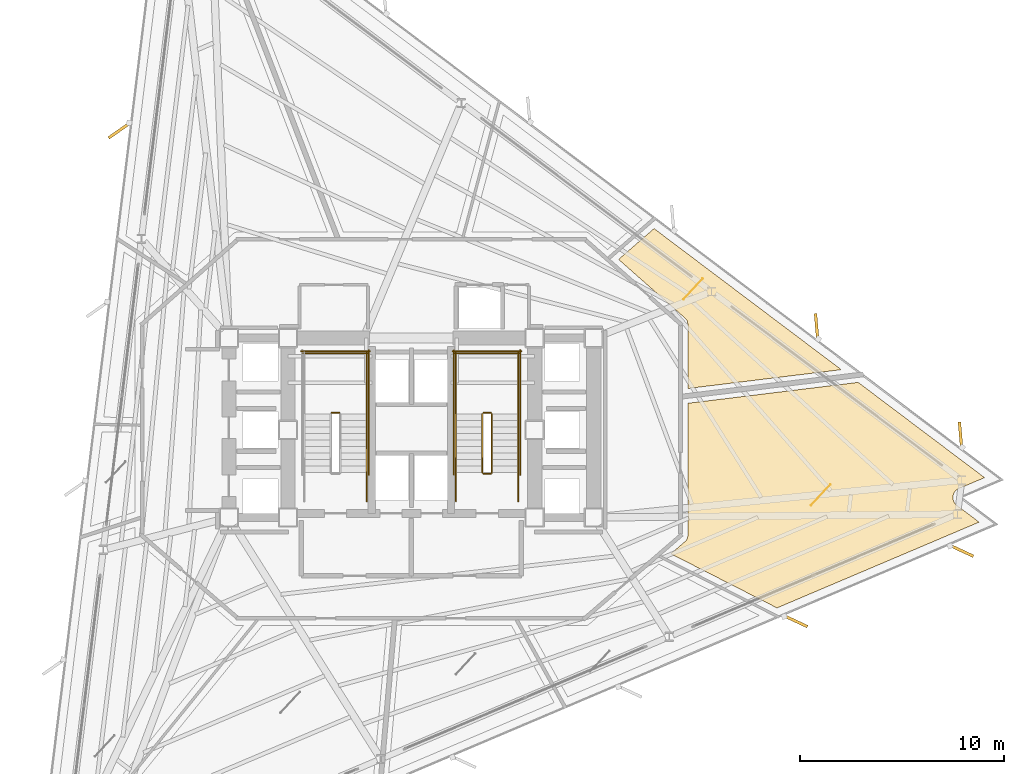
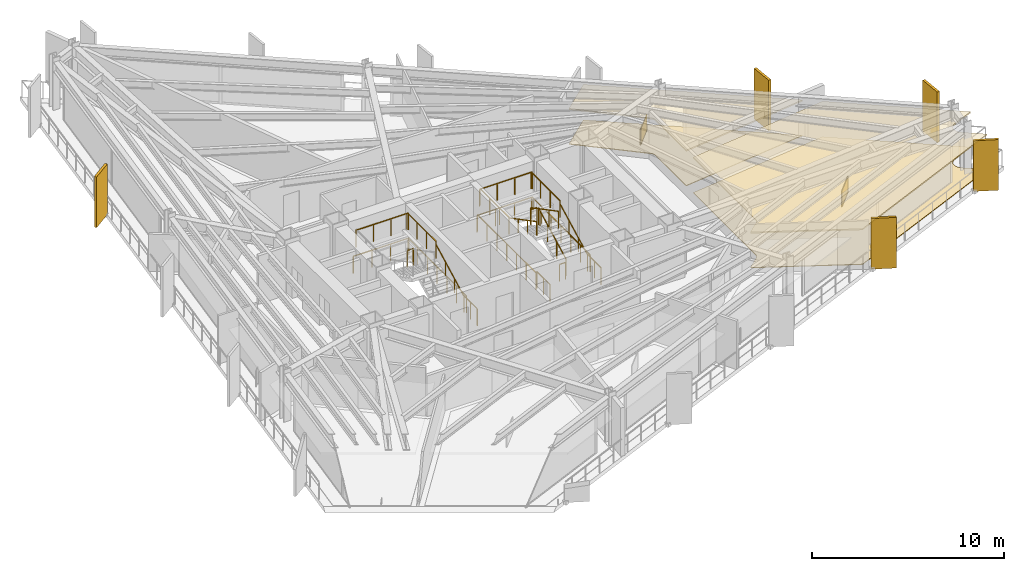
# One storey, part 12 of 13: 21 railings, 6 coverings, 5 shading devices.
"""IFC4 building model written with IfcOpenShell, lengths in metres."""

from ifc_helpers import new_model, si_unit, direction, frame, origin, origin_2d, place, context, subcontext, project, spatial, polyline, rectangle, outline, extrude, material, layer, layer_set, type_object, element, save


model = new_model("IFC4")

# Units and contexts
model_context = context("Model", 3, precision=1e-05, world=origin(), true_north=direction((0.0, 1.0)))
body_context = subcontext(model_context, "Body", "Model", "MODEL_VIEW")
ifc_project = project(units=[si_unit("LENGTHUNIT", "METRE"), si_unit("AREAUNIT", "SQUARE_METRE"), si_unit("VOLUMEUNIT", "CUBIC_METRE"), si_unit("PLANEANGLEUNIT", "RADIAN"), si_unit("MASSUNIT", "GRAM", prefix="KILO")], contexts=[model_context])

# Site, building, storey
site_placement = place(None, origin())
site = spatial("IfcSite", under=ifc_project, at=site_placement, CompositionType="ELEMENT")
building_placement = place(site_placement, origin())
building = spatial("IfcBuilding", under=site, at=building_placement, Name="Rocaltana Carrier Exchange", CompositionType="ELEMENT")
storey_placement = place(building_placement, frame((0.0, 0.0, 66.39990234375)))
storey = spatial("IfcBuildingStorey", under=building, at=storey_placement, Name="L20", CompositionType="ELEMENT", Elevation=66.39990234375)

# Coverings
ifc_material_1 = material(Name="Honed Bogota Sandstone Tile", Category="masonry")
ifc_layer_1 = layer(ifc_material_1, 0.0400390625)
ifc_layer_set_1 = layer_set([ifc_layer_1], Name="Honed Bogota Sandstone Tile")
covering_type_1 = type_object("IfcCoveringType", Name="Honed Stone Lobby Flooring 40", PredefinedType="FLOORING", material=ifc_layer_set_1)
covering_1_placement = place(storey_placement, origin())
element("IfcCovering", 1, at=covering_1_placement, inside=storey, type_object=covering_type_1, Name="L20 Optical Switching Laboratory Finish Floor", PredefinedType="FLOORING", context=body_context, shape_type="SweptSolid", body=[
    extrude(outline(polyline([(28.1201171875, -2.344482421875), (26.860107421875, -2.87939453125), (26.847412109375, -2.885009765625), (26.82958984375, -2.893798828125), (26.80517578125, -2.906982421875), (26.7880859375, -2.91748046875), (26.76513671875, -2.933349609375), (26.749267578125, -2.9453125), (26.727783203125, -2.96337890625), (26.71337890625, -2.97705078125), (26.69384765625, -2.9970703125), (26.6806640625, -3.01220703125), (26.663330078125, -3.033935546875), (26.65185546875, -3.050048828125), (26.63671875, -3.073486328125), (26.626708984375, -3.0908203125), (26.614013671875, -3.11572265625), (26.60595703125, -3.134033203125), (26.595703125, -3.159912109375), (26.589599609375, -3.178955078125), (26.58203125, -3.205810546875), (26.57763671875, -3.225341796875), (26.57275390625, -3.252685546875), (26.5703125, -3.2724609375), (26.568359375, -3.30029296875), (26.56787109375, -3.3203125), (26.568603515625, -3.34814453125), (26.5703125, -3.3681640625), (26.57373046875, -3.395751953125), (26.577392578125, -3.415283203125), (26.58349609375, -3.442626953125), (26.589111328125, -3.4619140625), (26.597900390625, -3.48828125), (26.605224609375, -3.5068359375), (26.616943359375, -3.5322265625), (26.6259765625, -3.5498046875), (26.639892578125, -3.573974609375), (26.65087890625, -3.5908203125), (26.667236328125, -3.61328125), (26.6796875, -3.62890625), (26.6982421875, -3.64990234375), (26.712158203125, -3.6640625), (26.732666015625, -3.68310546875), (26.748046875, -3.69580078125), (26.7587890625, -3.70458984375), (27.851806640625, -4.528076171875), (17.9384765625, -8.736083984375), (12.728515625, -6.08154296875), (13.43505859375, -5.47265625), (13.44482421875, -5.4638671875), (13.450439453125, -5.45849609375), (13.468994140625, -5.439208984375), (13.47412109375, -5.433349609375), (13.490478515625, -5.41259765625), (13.4951171875, -5.40625), (13.509521484375, -5.3837890625), (13.51318359375, -5.377197265625), (13.525634765625, -5.353515625), (13.52880859375, -5.346435546875), (13.538818359375, -5.32177734375), (13.541259765625, -5.314453125), (13.548828125, -5.288818359375), (13.550537109375, -5.281494140625), (13.5556640625, -5.255126953125), (13.556884765625, -5.24755859375), (13.559326171875, -5.220947265625), (13.559814453125, -5.21337890625), (13.56005859375, -5.199951171875), (13.56005859375, 1.30224609375), (21.918701171875, 2.32861328125), (28.1201171875, -2.344482421875)])), origin(), (0.0, 0.0, 1.0), 0.0400390625),
])
covering_2_placement = place(storey_placement, origin())
element("IfcCovering", 2, at=covering_2_placement, inside=storey, type_object=covering_type_1, Name="L20 Client Reception Foyer Finish Floor", PredefinedType="FLOORING", context=body_context, shape_type="SweptSolid", body=[
    extrude(outline(polyline([(21.091064453125, 2.952392578125), (13.56005859375, 2.027587890625), (13.56005859375, 5.199951171875), (13.559814453125, 5.213134765625), (13.559326171875, 5.220703125), (13.556884765625, 5.246826171875), (13.555908203125, 5.25439453125), (13.55078125, 5.2802734375), (13.549072265625, 5.28759765625), (13.541748046875, 5.31298828125), (13.539306640625, 5.320068359375), (13.529541015625, 5.344482421875), (13.526611328125, 5.351318359375), (13.5146484375, 5.375), (13.5107421875, 5.38134765625), (13.49658203125, 5.40380859375), (13.492431640625, 5.409912109375), (13.476318359375, 5.4306640625), (13.471435546875, 5.436279296875), (13.453369140625, 5.455810546875), (13.447998046875, 5.4609375), (13.438232421875, 5.469970703125), (10.16552734375, 8.359619140625), (11.906494140625, 9.873291015625), (21.091064453125, 2.952392578125)])), origin(), (0.0, 0.0, 1.0), 0.0400390625),
])
ifc_material_2 = material(Name="Anodised Aluminium 6063-T6", Category="aluminium")
ifc_layer_2 = layer(ifc_material_2, 0.0849609375)
ifc_layer_set_2 = layer_set([ifc_layer_2], Name="Anodised Aluminium 6063-T6")
covering_type_2 = type_object("IfcCoveringType", Name="Linear Baffle Acoustic Ceiling 85", PredefinedType="CEILING", material=ifc_layer_set_2)
covering_3_placement = place(storey_placement, frame((0.0, 0.0, 2.203125)))
element("IfcCovering", 3, at=covering_3_placement, inside=storey, type_object=covering_type_2, Name="L20 Optical Switching Laboratory Acoustic Ceiling", PredefinedType="CEILING", context=body_context, shape_type="SweptSolid", body=[
    extrude(outline(polyline([(28.1201171875, -2.344482421875), (26.860107421875, -2.87939453125), (26.847412109375, -2.885009765625), (26.82958984375, -2.893798828125), (26.80517578125, -2.906982421875), (26.7880859375, -2.91748046875), (26.76513671875, -2.933349609375), (26.749267578125, -2.9453125), (26.727783203125, -2.96337890625), (26.71337890625, -2.97705078125), (26.69384765625, -2.9970703125), (26.6806640625, -3.01220703125), (26.663330078125, -3.033935546875), (26.65185546875, -3.050048828125), (26.63671875, -3.073486328125), (26.626708984375, -3.0908203125), (26.614013671875, -3.11572265625), (26.60595703125, -3.134033203125), (26.595703125, -3.159912109375), (26.589599609375, -3.178955078125), (26.58203125, -3.205810546875), (26.57763671875, -3.225341796875), (26.57275390625, -3.252685546875), (26.5703125, -3.2724609375), (26.568359375, -3.30029296875), (26.56787109375, -3.3203125), (26.568603515625, -3.34814453125), (26.5703125, -3.3681640625), (26.57373046875, -3.395751953125), (26.577392578125, -3.415283203125), (26.58349609375, -3.442626953125), (26.589111328125, -3.4619140625), (26.597900390625, -3.48828125), (26.605224609375, -3.5068359375), (26.616943359375, -3.5322265625), (26.6259765625, -3.5498046875), (26.639892578125, -3.573974609375), (26.65087890625, -3.5908203125), (26.667236328125, -3.61328125), (26.6796875, -3.62890625), (26.6982421875, -3.64990234375), (26.712158203125, -3.6640625), (26.732666015625, -3.68310546875), (26.748046875, -3.69580078125), (26.7587890625, -3.70458984375), (27.851806640625, -4.528076171875), (17.9384765625, -8.736083984375), (12.728515625, -6.08154296875), (13.43505859375, -5.47265625), (13.44482421875, -5.4638671875), (13.450439453125, -5.45849609375), (13.468994140625, -5.439208984375), (13.47412109375, -5.433349609375), (13.490478515625, -5.41259765625), (13.4951171875, -5.40625), (13.509521484375, -5.3837890625), (13.51318359375, -5.377197265625), (13.525634765625, -5.353515625), (13.52880859375, -5.346435546875), (13.538818359375, -5.32177734375), (13.541259765625, -5.314453125), (13.548828125, -5.288818359375), (13.550537109375, -5.281494140625), (13.5556640625, -5.255126953125), (13.556884765625, -5.24755859375), (13.559326171875, -5.220947265625), (13.559814453125, -5.21337890625), (13.56005859375, -5.199951171875), (13.56005859375, 1.30224609375), (21.918701171875, 2.32861328125), (28.1201171875, -2.344482421875)])), origin(), (0.0, 0.0, 1.0), 0.0849609375),
])
covering_4_placement = place(storey_placement, frame((0.0, 0.0, 2.203125)))
element("IfcCovering", 4, at=covering_4_placement, inside=storey, type_object=covering_type_2, Name="L20 Client Reception Foyer Acoustic Ceiling", PredefinedType="CEILING", context=body_context, shape_type="SweptSolid", body=[
    extrude(outline(polyline([(21.091064453125, 2.952392578125), (13.56005859375, 2.027587890625), (13.56005859375, 5.199951171875), (13.559814453125, 5.213134765625), (13.559326171875, 5.220703125), (13.556884765625, 5.246826171875), (13.555908203125, 5.25439453125), (13.55078125, 5.2802734375), (13.549072265625, 5.28759765625), (13.541748046875, 5.31298828125), (13.539306640625, 5.320068359375), (13.529541015625, 5.344482421875), (13.526611328125, 5.351318359375), (13.5146484375, 5.375), (13.5107421875, 5.38134765625), (13.49658203125, 5.40380859375), (13.492431640625, 5.409912109375), (13.476318359375, 5.4306640625), (13.471435546875, 5.436279296875), (13.453369140625, 5.455810546875), (13.447998046875, 5.4609375), (13.438232421875, 5.469970703125), (10.16552734375, 8.359619140625), (11.906494140625, 9.873291015625), (21.091064453125, 2.952392578125)])), origin(), (0.0, 0.0, 1.0), 0.0849609375),
])

# Railings
ifc_material_3 = material(Name="Brushed Architectural Stainless Tube", Category="steel")
ifc_layer_3 = layer(ifc_material_3, 0.048095703125)
ifc_layer_set_3 = layer_set([ifc_layer_3], Name="Brushed Architectural Stainless Tube")
railing_type_1 = type_object("IfcRailingType", Name="Stair Wall Handrail 920", PredefinedType="HANDRAIL", material=ifc_layer_set_3)
for number, where, name in (
    (5, (-2.18994140625, -2.10009765625, 0.168212890625), "L20 ST-1 stair handrail 1"),
    (6, (5.25, -2.10009765625, 0.168212890625), "L20 ST-2 stair handrail 1"),
):
    element("IfcRailing", number, at=place(storey_placement, frame(where)), inside=storey, type_object=railing_type_1, Name=name, PredefinedType="HANDRAIL", context=body_context, shape_type="SweptSolid", body=[
        extrude(rectangle(XDim=0.048095703125, YDim=0.048095703125, at=origin_2d()), frame((0.0, 0.0, 0.8759765625), z_axis=(0.0, 0.885411030485, 0.464808893091), x_axis=(-1.0, 0.0, 0.0)), (0.0, 0.0, 1.0), 3.2529296875),
        extrude(rectangle(XDim=0.0419921875, YDim=0.0419921875, at=origin_2d()), origin(), (0.0, 0.0, 1.0), 0.851806640625),
        extrude(rectangle(XDim=0.0419921875, YDim=0.0419921875, at=origin_2d()), frame((0.0, 0.9599609375, 0.50390625)), (0.0, 0.0, 1.0), 0.851806640625),
        extrude(rectangle(XDim=0.0419921875, YDim=0.0419921875, at=origin_2d()), frame((0.0, 1.920166015625, 1.008056640625)), (0.0, 0.0, 1.0), 0.851806640625),
        extrude(rectangle(XDim=0.0419921875, YDim=0.0419921875, at=origin_2d()), frame((0.0, 2.880126953125, 1.511962890625)), (0.0, 0.0, 1.0), 0.851806640625),
    ])
railing_1_placement = place(storey_placement, frame((2.18994140625, 0.780029296875, 1.84814453125)))
element("IfcRailing", 7, at=railing_1_placement, inside=storey, type_object=railing_type_1, Name="L20 ST-2 stair handrail 2", PredefinedType="HANDRAIL", context=body_context, shape_type="SweptSolid", body=[
    extrude(rectangle(XDim=0.048095703125, YDim=0.048095703125, at=origin_2d()), frame((0.0, 0.0, 0.8759765625), z_axis=(0.0, -0.885411030485, 0.464808893091), x_axis=(1.0, 0.0, 0.0)), (0.0, 0.0, 1.0), 3.2529296875),
    extrude(rectangle(XDim=0.0419921875, YDim=0.0419921875, at=origin_2d()), origin(), (0.0, 0.0, 1.0), 0.851806640625),
    extrude(rectangle(XDim=0.0419921875, YDim=0.0419921875, at=origin_2d()), frame((0.0, -0.9599609375, 0.50390625)), (0.0, 0.0, 1.0), 0.851806640625),
    extrude(rectangle(XDim=0.0419921875, YDim=0.0419921875, at=origin_2d()), frame((0.0, -1.920166015625, 1.008056640625)), (0.0, 0.0, 1.0), 0.851806640625),
    extrude(rectangle(XDim=0.0419921875, YDim=0.0419921875, at=origin_2d()), frame((0.0, -2.880126953125, 1.511962890625)), (0.0, 0.0, 1.0), 0.851806640625),
])
ifc_material_4 = material(Name="Powder-Coated Aluminium 6063-T6", Category="aluminium")
ifc_layer_4 = layer(ifc_material_4, 0.048095703125)
ifc_layer_set_4 = layer_set([ifc_layer_4], Name="Powder-Coated Aluminium 6063-T6")
railing_type_2 = type_object("IfcRailingType", Name="Stair Well Guardrail 1100", PredefinedType="GUARDRAIL", material=ifc_layer_set_4)
railing_2_placement = place(storey_placement, frame((-3.5400390625, 0.830078125, 1.68017578125)))
element("IfcRailing", 8, at=railing_2_placement, inside=storey, type_object=railing_type_2, Name="L20 ST-1 stair guard 2", PredefinedType="GUARDRAIL", context=body_context, shape_type="SweptSolid", body=[
    extrude(rectangle(XDim=0.048095703125, YDim=0.048095703125, at=origin_2d()), frame((0.0, 0.0, 1.076171875), z_axis=(-1.0, 0.0, 0.0), x_axis=(0.0, -1.0, 0.0)), (0.0, 0.0, 1.0), 0.35986328125),
    extrude(rectangle(XDim=0.0419921875, YDim=0.0419921875, at=origin_2d()), origin(), (0.0, 0.0, 1.0), 1.052001953125),
    extrude(rectangle(XDim=0.0419921875, YDim=0.0419921875, at=origin_2d()), frame((-0.35986328125, 0.0, 0.0)), (0.0, 0.0, 1.0), 1.052001953125),
])
railing_3_placement = place(storey_placement, frame((-2.18994140625, 0.780029296875, 1.68017578125)))
element("IfcRailing", 9, at=railing_3_placement, inside=storey, type_object=railing_type_2, Name="L20 ST-1 stair guard 3", PredefinedType="GUARDRAIL", context=body_context, shape_type="SweptSolid", body=[
    extrude(rectangle(XDim=0.048095703125, YDim=0.048095703125, at=origin_2d()), frame((0.0, 0.0, 1.076171875), z_axis=(0.0, 1.0, 0.0), x_axis=(-1.0, 0.0, 0.0)), (0.0, 0.0, 1.0), 3.02001953125),
    extrude(rectangle(XDim=0.0419921875, YDim=0.0419921875, at=origin_2d()), origin(), (0.0, 0.0, 1.0), 1.052001953125),
    extrude(rectangle(XDim=0.0419921875, YDim=0.0419921875, at=origin_2d()), frame((0.0, 1.006591796875, 0.0)), (0.0, 0.0, 1.0), 1.052001953125),
    extrude(rectangle(XDim=0.0419921875, YDim=0.0419921875, at=origin_2d()), frame((0.0, 2.013427734375, 0.0)), (0.0, 0.0, 1.0), 1.052001953125),
    extrude(rectangle(XDim=0.0419921875, YDim=0.0419921875, at=origin_2d()), frame((0.0, 3.02001953125, 0.0)), (0.0, 0.0, 1.0), 1.052001953125),
])
railing_4_placement = place(storey_placement, frame((-2.139892578125, 3.75, 1.68017578125)))
element("IfcRailing", 10, at=railing_4_placement, inside=storey, type_object=railing_type_2, Name="L20 ST-1 stair guard 5", PredefinedType="GUARDRAIL", context=body_context, shape_type="SweptSolid", body=[
    extrude(rectangle(XDim=0.048095703125, YDim=0.048095703125, at=origin_2d()), frame((0.0, 0.0, 1.076171875), z_axis=(-1.0, 0.0, 0.0), x_axis=(0.0, -1.0, 0.0)), (0.0, 0.0, 1.0), 3.16015625),
    extrude(rectangle(XDim=0.0419921875, YDim=0.0419921875, at=origin_2d()), origin(), (0.0, 0.0, 1.0), 1.052001953125),
    extrude(rectangle(XDim=0.0419921875, YDim=0.0419921875, at=origin_2d()), frame((-1.053466796875, 0.0, 0.0)), (0.0, 0.0, 1.0), 1.052001953125),
    extrude(rectangle(XDim=0.0419921875, YDim=0.0419921875, at=origin_2d()), frame((-2.106689453125, 0.0, 0.0)), (0.0, 0.0, 1.0), 1.052001953125),
    extrude(rectangle(XDim=0.0419921875, YDim=0.0419921875, at=origin_2d()), frame((-3.16015625, 0.0, 0.0)), (0.0, 0.0, 1.0), 1.052001953125),
])
railing_5_placement = place(storey_placement, frame((-2.18994140625, -3.5, 0.0)))
element("IfcRailing", 11, at=railing_5_placement, inside=storey, type_object=railing_type_2, Name="L20 ST-1 stair guard 8", PredefinedType="GUARDRAIL", context=body_context, shape_type="SweptSolid", body=[
    extrude(rectangle(XDim=0.048095703125, YDim=0.048095703125, at=origin_2d()), frame((0.0, 0.0, 1.076171875), z_axis=(0.0, 1.0, 0.0), x_axis=(-1.0, 0.0, 0.0)), (0.0, 0.0, 1.0), 1.39990234375),
    extrude(rectangle(XDim=0.0419921875, YDim=0.0419921875, at=origin_2d()), origin(), (0.0, 0.0, 1.0), 1.052001953125),
    extrude(rectangle(XDim=0.0419921875, YDim=0.0419921875, at=origin_2d()), frame((0.0, 0.699951171875, 0.0)), (0.0, 0.0, 1.0), 1.052001953125),
    extrude(rectangle(XDim=0.0419921875, YDim=0.0419921875, at=origin_2d()), frame((0.0, 1.39990234375, 0.0)), (0.0, 0.0, 1.0), 1.052001953125),
])
railing_6_placement = place(storey_placement, frame((-2.090087890625, -2.199951171875, 0.0)))
element("IfcRailing", 12, at=railing_6_placement, inside=storey, type_object=railing_type_2, Name="L20 ST-1 stair guard 10", PredefinedType="GUARDRAIL", context=body_context, shape_type="SweptSolid", body=[
    extrude(rectangle(XDim=0.048095703125, YDim=0.048095703125, at=origin_2d()), frame((0.0, 0.0, 1.076171875), z_axis=(0.0, 1.0, 0.0), x_axis=(-1.0, 0.0, 0.0)), (0.0, 0.0, 1.0), 6.099853515625),
    extrude(rectangle(XDim=0.0419921875, YDim=0.0419921875, at=origin_2d()), origin(), (0.0, 0.0, 1.0), 1.052001953125),
    extrude(rectangle(XDim=0.0419921875, YDim=0.0419921875, at=origin_2d()), frame((0.0, 1.0166015625, 0.0)), (0.0, 0.0, 1.0), 1.052001953125),
    extrude(rectangle(XDim=0.0419921875, YDim=0.0419921875, at=origin_2d()), frame((0.0, 2.033203125, 0.0)), (0.0, 0.0, 1.0), 1.052001953125),
    extrude(rectangle(XDim=0.0419921875, YDim=0.0419921875, at=origin_2d()), frame((0.0, 3.0498046875, 0.0)), (0.0, 0.0, 1.0), 1.052001953125),
    extrude(rectangle(XDim=0.0419921875, YDim=0.0419921875, at=origin_2d()), frame((0.0, 4.066650390625, 0.0)), (0.0, 0.0, 1.0), 1.052001953125),
    extrude(rectangle(XDim=0.0419921875, YDim=0.0419921875, at=origin_2d()), frame((0.0, 5.083251953125, 0.0)), (0.0, 0.0, 1.0), 1.052001953125),
    extrude(rectangle(XDim=0.0419921875, YDim=0.0419921875, at=origin_2d()), frame((0.0, 6.099853515625, 0.0)), (0.0, 0.0, 1.0), 1.052001953125),
])
railing_7_placement = place(storey_placement, frame((-2.0400390625, 3.85009765625, 0.0)))
element("IfcRailing", 13, at=railing_7_placement, inside=storey, type_object=railing_type_2, Name="L20 ST-1 stair guard 12", PredefinedType="GUARDRAIL", context=body_context, shape_type="SweptSolid", body=[
    extrude(rectangle(XDim=0.048095703125, YDim=0.048095703125, at=origin_2d()), frame((0.0, 0.0, 1.076171875), z_axis=(-1.0, 0.0, 0.0), x_axis=(0.0, -1.0, 0.0)), (0.0, 0.0, 1.0), 3.35986328125),
    extrude(rectangle(XDim=0.0419921875, YDim=0.0419921875, at=origin_2d()), origin(), (0.0, 0.0, 1.0), 1.052001953125),
    extrude(rectangle(XDim=0.0419921875, YDim=0.0419921875, at=origin_2d()), frame((-1.119873046875, 0.0, 0.0)), (0.0, 0.0, 1.0), 1.052001953125),
    extrude(rectangle(XDim=0.0419921875, YDim=0.0419921875, at=origin_2d()), frame((-2.239990234375, 0.0, 0.0)), (0.0, 0.0, 1.0), 1.052001953125),
    extrude(rectangle(XDim=0.0419921875, YDim=0.0419921875, at=origin_2d()), frame((-3.35986328125, 0.0, 0.0)), (0.0, 0.0, 1.0), 1.052001953125),
])
railing_8_placement = place(storey_placement, frame((3.949951171875, -2.10009765625, 0.168212890625)))
element("IfcRailing", 14, at=railing_8_placement, inside=storey, type_object=railing_type_2, Name="L20 ST-2 stair guard 1", PredefinedType="GUARDRAIL", context=body_context, shape_type="SweptSolid", body=[
    extrude(rectangle(XDim=0.048095703125, YDim=0.048095703125, at=origin_2d()), frame((0.0, 0.0, 1.076171875), z_axis=(0.0, 0.885411030485, 0.464808893091), x_axis=(-1.0, 0.0, 0.0)), (0.0, 0.0, 1.0), 3.2529296875),
    extrude(rectangle(XDim=0.0419921875, YDim=0.0419921875, at=origin_2d()), origin(), (0.0, 0.0, 1.0), 1.052001953125),
    extrude(rectangle(XDim=0.0419921875, YDim=0.0419921875, at=origin_2d()), frame((0.0, 0.9599609375, 0.50390625)), (0.0, 0.0, 1.0), 1.052001953125),
    extrude(rectangle(XDim=0.0419921875, YDim=0.0419921875, at=origin_2d()), frame((0.0, 1.920166015625, 1.008056640625)), (0.0, 0.0, 1.0), 1.052001953125),
    extrude(rectangle(XDim=0.0419921875, YDim=0.0419921875, at=origin_2d()), frame((0.0, 2.880126953125, 1.511962890625)), (0.0, 0.0, 1.0), 1.052001953125),
])
railing_9_placement = place(storey_placement, frame((3.89990234375, 0.830078125, 1.68017578125)))
element("IfcRailing", 15, at=railing_9_placement, inside=storey, type_object=railing_type_2, Name="L20 ST-2 stair guard 2", PredefinedType="GUARDRAIL", context=body_context, shape_type="SweptSolid", body=[
    extrude(rectangle(XDim=0.048095703125, YDim=0.048095703125, at=origin_2d()), frame((0.0, 0.0, 1.076171875), z_axis=(-1.0, 0.0, 0.0), x_axis=(0.0, -1.0, 0.0)), (0.0, 0.0, 1.0), 0.35986328125),
    extrude(rectangle(XDim=0.0419921875, YDim=0.0419921875, at=origin_2d()), origin(), (0.0, 0.0, 1.0), 1.052001953125),
    extrude(rectangle(XDim=0.0419921875, YDim=0.0419921875, at=origin_2d()), frame((-0.35986328125, 0.0, 0.0)), (0.0, 0.0, 1.0), 1.052001953125),
])
for number, where, name in (
    (16, (5.25, 0.780029296875, 1.68017578125), "L20 ST-2 stair guard 3"),
    (17, (2.18994140625, 0.780029296875, 1.68017578125), "L20 ST-2 stair guard 4"),
):
    element("IfcRailing", number, at=place(storey_placement, frame(where)), inside=storey, type_object=railing_type_2, Name=name, PredefinedType="GUARDRAIL", context=body_context, shape_type="SweptSolid", body=[
        extrude(rectangle(XDim=0.048095703125, YDim=0.048095703125, at=origin_2d()), frame((0.0, 0.0, 1.076171875), z_axis=(0.0, 1.0, 0.0), x_axis=(-1.0, 0.0, 0.0)), (0.0, 0.0, 1.0), 3.02001953125),
        extrude(rectangle(XDim=0.0419921875, YDim=0.0419921875, at=origin_2d()), origin(), (0.0, 0.0, 1.0), 1.052001953125),
        extrude(rectangle(XDim=0.0419921875, YDim=0.0419921875, at=origin_2d()), frame((0.0, 1.006591796875, 0.0)), (0.0, 0.0, 1.0), 1.052001953125),
        extrude(rectangle(XDim=0.0419921875, YDim=0.0419921875, at=origin_2d()), frame((0.0, 2.013427734375, 0.0)), (0.0, 0.0, 1.0), 1.052001953125),
        extrude(rectangle(XDim=0.0419921875, YDim=0.0419921875, at=origin_2d()), frame((0.0, 3.02001953125, 0.0)), (0.0, 0.0, 1.0), 1.052001953125),
    ])
railing_10_placement = place(storey_placement, frame((5.300048828125, 3.75, 1.68017578125)))
element("IfcRailing", 18, at=railing_10_placement, inside=storey, type_object=railing_type_2, Name="L20 ST-2 stair guard 5", PredefinedType="GUARDRAIL", context=body_context, shape_type="SweptSolid", body=[
    extrude(rectangle(XDim=0.048095703125, YDim=0.048095703125, at=origin_2d()), frame((0.0, 0.0, 1.076171875), z_axis=(-1.0, 0.0, 0.0), x_axis=(0.0, -1.0, 0.0)), (0.0, 0.0, 1.0), 3.16015625),
    extrude(rectangle(XDim=0.0419921875, YDim=0.0419921875, at=origin_2d()), origin(), (0.0, 0.0, 1.0), 1.052001953125),
    extrude(rectangle(XDim=0.0419921875, YDim=0.0419921875, at=origin_2d()), frame((-1.053466796875, 0.0, 0.0)), (0.0, 0.0, 1.0), 1.052001953125),
    extrude(rectangle(XDim=0.0419921875, YDim=0.0419921875, at=origin_2d()), frame((-2.106689453125, 0.0, 0.0)), (0.0, 0.0, 1.0), 1.052001953125),
    extrude(rectangle(XDim=0.0419921875, YDim=0.0419921875, at=origin_2d()), frame((-3.16015625, 0.0, 0.0)), (0.0, 0.0, 1.0), 1.052001953125),
])
railing_11_placement = place(storey_placement, frame((3.489990234375, 0.780029296875, 1.84814453125)))
element("IfcRailing", 19, at=railing_11_placement, inside=storey, type_object=railing_type_2, Name="L20 ST-2 stair guard 6", PredefinedType="GUARDRAIL", context=body_context, shape_type="SweptSolid", body=[
    extrude(rectangle(XDim=0.048095703125, YDim=0.048095703125, at=origin_2d()), frame((0.0, 0.0, 1.076171875), z_axis=(0.0, -0.885411030485, 0.464808893091), x_axis=(1.0, 0.0, 0.0)), (0.0, 0.0, 1.0), 3.2529296875),
    extrude(rectangle(XDim=0.0419921875, YDim=0.0419921875, at=origin_2d()), origin(), (0.0, 0.0, 1.0), 1.052001953125),
    extrude(rectangle(XDim=0.0419921875, YDim=0.0419921875, at=origin_2d()), frame((0.0, -0.9599609375, 0.50390625)), (0.0, 0.0, 1.0), 1.052001953125),
    extrude(rectangle(XDim=0.0419921875, YDim=0.0419921875, at=origin_2d()), frame((0.0, -1.920166015625, 1.008056640625)), (0.0, 0.0, 1.0), 1.052001953125),
    extrude(rectangle(XDim=0.0419921875, YDim=0.0419921875, at=origin_2d()), frame((0.0, -2.880126953125, 1.511962890625)), (0.0, 0.0, 1.0), 1.052001953125),
])
railing_12_placement = place(storey_placement, frame((3.89990234375, -2.14990234375, 0.0)))
element("IfcRailing", 20, at=railing_12_placement, inside=storey, type_object=railing_type_2, Name="L20 ST-2 stair guard 7", PredefinedType="GUARDRAIL", context=body_context, shape_type="SweptSolid", body=[
    extrude(rectangle(XDim=0.048095703125, YDim=0.048095703125, at=origin_2d()), frame((0.0, 0.0, 1.076171875), z_axis=(-1.0, 0.0, 0.0), x_axis=(0.0, -1.0, 0.0)), (0.0, 0.0, 1.0), 0.35986328125),
    extrude(rectangle(XDim=0.0419921875, YDim=0.0419921875, at=origin_2d()), origin(), (0.0, 0.0, 1.0), 1.052001953125),
    extrude(rectangle(XDim=0.0419921875, YDim=0.0419921875, at=origin_2d()), frame((-0.35986328125, 0.0, 0.0)), (0.0, 0.0, 1.0), 1.052001953125),
])
for number, where, name in (
    (21, (5.25, -3.5, 0.0), "L20 ST-2 stair guard 8"),
    (22, (2.18994140625, -3.5, 0.0), "L20 ST-2 stair guard 9"),
):
    element("IfcRailing", number, at=place(storey_placement, frame(where)), inside=storey, type_object=railing_type_2, Name=name, PredefinedType="GUARDRAIL", context=body_context, shape_type="SweptSolid", body=[
        extrude(rectangle(XDim=0.048095703125, YDim=0.048095703125, at=origin_2d()), frame((0.0, 0.0, 1.076171875), z_axis=(0.0, 1.0, 0.0), x_axis=(-1.0, 0.0, 0.0)), (0.0, 0.0, 1.0), 1.39990234375),
        extrude(rectangle(XDim=0.0419921875, YDim=0.0419921875, at=origin_2d()), origin(), (0.0, 0.0, 1.0), 1.052001953125),
        extrude(rectangle(XDim=0.0419921875, YDim=0.0419921875, at=origin_2d()), frame((0.0, 0.699951171875, 0.0)), (0.0, 0.0, 1.0), 1.052001953125),
        extrude(rectangle(XDim=0.0419921875, YDim=0.0419921875, at=origin_2d()), frame((0.0, 1.39990234375, 0.0)), (0.0, 0.0, 1.0), 1.052001953125),
    ])
for number, where, name in (
    (23, (5.35009765625, -2.199951171875, 0.0), "L20 ST-2 stair guard 10"),
    (24, (2.090087890625, -2.199951171875, 0.0), "L20 ST-2 stair guard 11"),
):
    element("IfcRailing", number, at=place(storey_placement, frame(where)), inside=storey, type_object=railing_type_2, Name=name, PredefinedType="GUARDRAIL", context=body_context, shape_type="SweptSolid", body=[
        extrude(rectangle(XDim=0.048095703125, YDim=0.048095703125, at=origin_2d()), frame((0.0, 0.0, 1.076171875), z_axis=(0.0, 1.0, 0.0), x_axis=(-1.0, 0.0, 0.0)), (0.0, 0.0, 1.0), 6.099853515625),
        extrude(rectangle(XDim=0.0419921875, YDim=0.0419921875, at=origin_2d()), origin(), (0.0, 0.0, 1.0), 1.052001953125),
        extrude(rectangle(XDim=0.0419921875, YDim=0.0419921875, at=origin_2d()), frame((0.0, 1.0166015625, 0.0)), (0.0, 0.0, 1.0), 1.052001953125),
        extrude(rectangle(XDim=0.0419921875, YDim=0.0419921875, at=origin_2d()), frame((0.0, 2.033203125, 0.0)), (0.0, 0.0, 1.0), 1.052001953125),
        extrude(rectangle(XDim=0.0419921875, YDim=0.0419921875, at=origin_2d()), frame((0.0, 3.0498046875, 0.0)), (0.0, 0.0, 1.0), 1.052001953125),
        extrude(rectangle(XDim=0.0419921875, YDim=0.0419921875, at=origin_2d()), frame((0.0, 4.066650390625, 0.0)), (0.0, 0.0, 1.0), 1.052001953125),
        extrude(rectangle(XDim=0.0419921875, YDim=0.0419921875, at=origin_2d()), frame((0.0, 5.083251953125, 0.0)), (0.0, 0.0, 1.0), 1.052001953125),
        extrude(rectangle(XDim=0.0419921875, YDim=0.0419921875, at=origin_2d()), frame((0.0, 6.099853515625, 0.0)), (0.0, 0.0, 1.0), 1.052001953125),
    ])
railing_13_placement = place(storey_placement, frame((5.39990234375, 3.85009765625, 0.0)))
element("IfcRailing", 25, at=railing_13_placement, inside=storey, type_object=railing_type_2, Name="L20 ST-2 stair guard 12", PredefinedType="GUARDRAIL", context=body_context, shape_type="SweptSolid", body=[
    extrude(rectangle(XDim=0.048095703125, YDim=0.048095703125, at=origin_2d()), frame((0.0, 0.0, 1.076171875), z_axis=(-1.0, 0.0, 0.0), x_axis=(0.0, -1.0, 0.0)), (0.0, 0.0, 1.0), 3.35986328125),
    extrude(rectangle(XDim=0.0419921875, YDim=0.0419921875, at=origin_2d()), origin(), (0.0, 0.0, 1.0), 1.052001953125),
    extrude(rectangle(XDim=0.0419921875, YDim=0.0419921875, at=origin_2d()), frame((-1.119873046875, 0.0, 0.0)), (0.0, 0.0, 1.0), 1.052001953125),
    extrude(rectangle(XDim=0.0419921875, YDim=0.0419921875, at=origin_2d()), frame((-2.239990234375, 0.0, 0.0)), (0.0, 0.0, 1.0), 1.052001953125),
    extrude(rectangle(XDim=0.0419921875, YDim=0.0419921875, at=origin_2d()), frame((-3.35986328125, 0.0, 0.0)), (0.0, 0.0, 1.0), 1.052001953125),
])

# Coverings
ifc_material_5 = material(Name="Honed Piedra Muneca Sandstone", Category="masonry")
ifc_layer_5 = layer(ifc_material_5, 0.034912109375)
ifc_layer_set_5 = layer_set([ifc_layer_5], Name="Honed Piedra Muneca Sandstone")
covering_type_3 = type_object("IfcCoveringType", Name="Stone Facade Cladding 35", PredefinedType="CLADDING", material=ifc_layer_set_5)
for number, where, z_axis, x_axis, name in (
    (26, (20.072998046875, -3.1923828125, 0.0), (0.0, 0.0, 1.0), (0.681998360062, 0.731353701619, 0.0), "L20 Stone Facade Cladding Panel 6"),
    (27, (13.8173828125, 6.914794921875, 0.0), (0.0, 0.0, 1.0), (0.681998360062, 0.731353701619, 0.0), "L20 Stone Facade Cladding Panel 7"),
):
    element("IfcCovering", number, at=place(storey_placement, frame(where, z_axis=z_axis, x_axis=x_axis)), inside=storey, type_object=covering_type_3, Name=name, PredefinedType="CLADDING", context=body_context, shape_type="SweptSolid", body=[
        extrude(rectangle(XDim=1.39990234375, YDim=0.034912109375, at=origin_2d()), origin(), (0.0, 0.0, 1.0), 1.050048828125),
    ])

# Shading devices
ifc_material_6 = material(Name="Honed Bogota Sandstone & Concrete C45/55", Category="masonry")
ifc_layer_6 = layer(ifc_material_6, 0.139892578125)
ifc_layer_set_6 = layer_set([ifc_layer_6], Name="Honed Bogota Sandstone & Concrete C45/55")
shading_device_type = type_object("IfcShadingDeviceType", Name="Vertical Sandstone Shading Fin 1320x140", PredefinedType="USERDEFINED", material=ifc_layer_set_6)
for number, where, z_axis, x_axis, name in (
    (28, (26.9423828125, -0.279052734375, -0.1201171875), (0.0, 0.0, 1.0), (-0.087155742748, 0.996194698092, 0.0), "L20 Sandstone Vertical Fin F1-01"),
    (29, (19.882568359375, 5.041015625, -0.1201171875), (0.0, 0.0, 1.0), (-0.087155742748, 0.996194698092, 0.0), "L20 Sandstone Vertical Fin F1-02"),
    (30, (-14.306884765625, 14.6982421875, -0.1201171875), (0.0, 0.0, 1.0), (-0.819152044289, -0.573576436351, 0.0), "L20 Sandstone Vertical Fin F2-02"),
    (31, (18.836181640625, -9.376953125, -0.1201171875), (0.0, 0.0, 1.0), (0.906307787037, -0.422618261741, 0.0), "L20 Sandstone Vertical Fin F3-05"),
    (32, (26.973388671875, -5.923095703125, -0.1201171875), (0.0, 0.0, 1.0), (0.906307787037, -0.422618261741, 0.0), "L20 Sandstone Vertical Fin F3-06"),
):
    element("IfcShadingDevice", number, at=place(storey_placement, frame(where, z_axis=z_axis, x_axis=x_axis)), inside=storey, type_object=shading_device_type, Name=name, ObjectType="FIN", PredefinedType="USERDEFINED", context=body_context, shape_type="SweptSolid", body=[
        extrude(rectangle(XDim=1.320068359375, YDim=0.139892578125, at=origin_2d()), origin(), (0.0, 0.0, 1.0), 3.218017578125),
    ])

save(model, "model.ifc")
